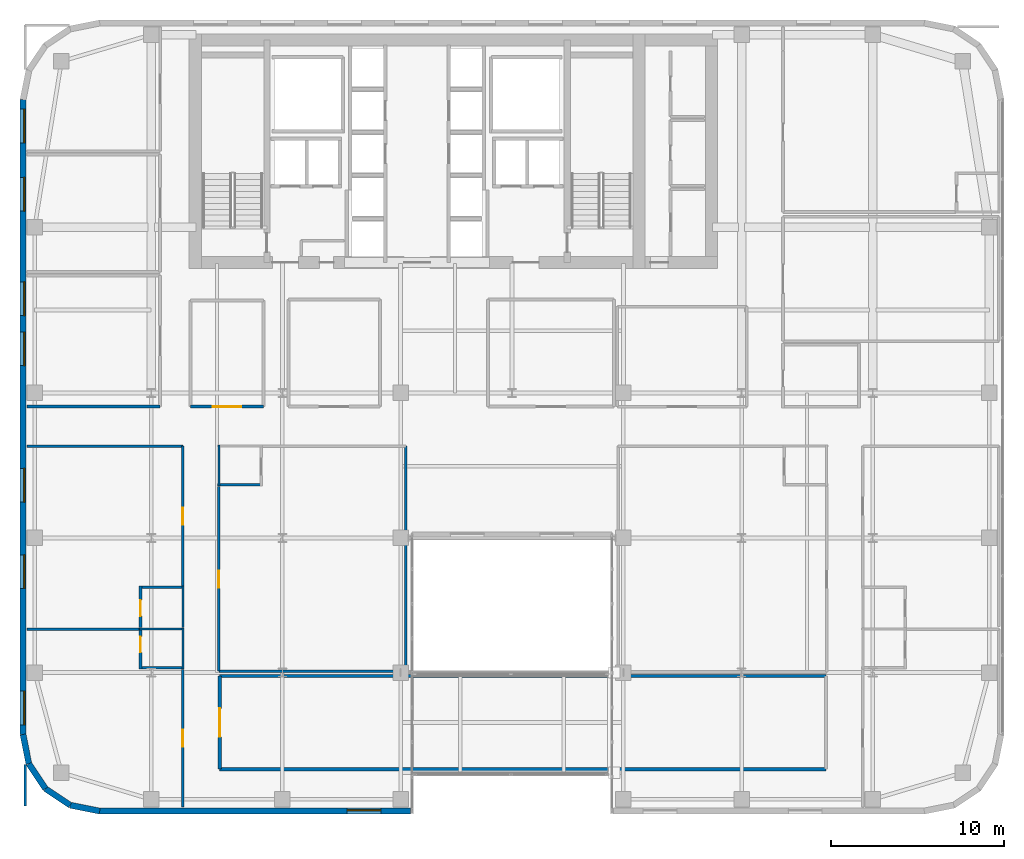
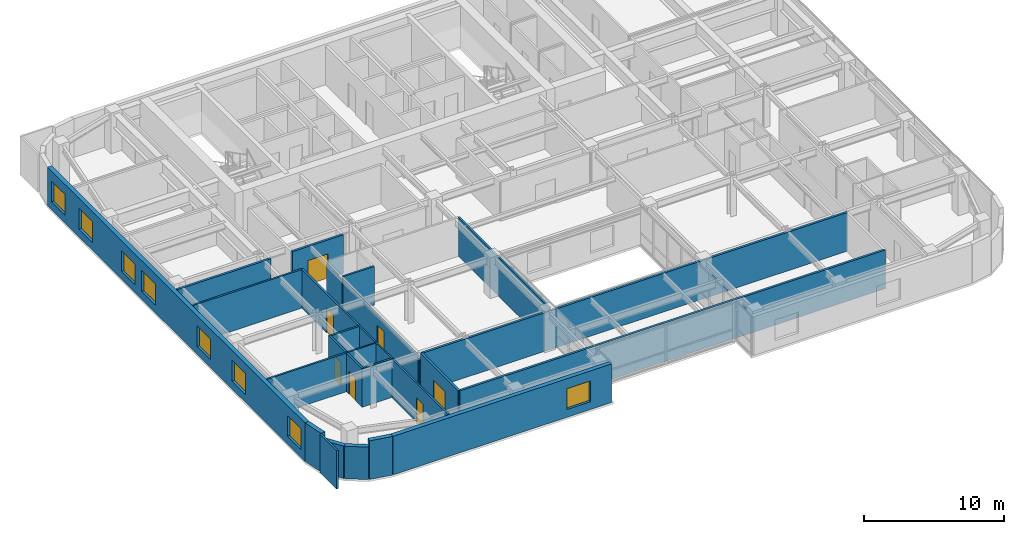
# One storey, part 18 of 25: 28 walls, 8 windows, 7 doors, 15 openings.
"""IFC4 building model written with IfcOpenShell, lengths in metres."""

from ifc_helpers import new_model, si_unit, direction, frame, frame_2d, origin, place, context, subcontext, project, spatial, rectangle, extrude, source, transform, mapped, material, layer, layer_set, type_object, type_shapes, element, fill, save


model = new_model("IFC4")

# Units and contexts
model_context = context("Model", 3, precision=1e-05, world=origin(), true_north=direction((0.0, 1.0)))
body_context = subcontext(model_context, "Body", "Model", "MODEL_VIEW")
ifc_project = project(units=[si_unit("LENGTHUNIT", "METRE"), si_unit("AREAUNIT", "SQUARE_METRE"), si_unit("VOLUMEUNIT", "CUBIC_METRE"), si_unit("PLANEANGLEUNIT", "RADIAN"), si_unit("MASSUNIT", "GRAM", prefix="KILO")], contexts=[model_context])

# Site, building, storey
site_placement = place(None, origin())
site = spatial("IfcSite", under=ifc_project, at=site_placement, CompositionType="ELEMENT")
building_placement = place(site_placement, origin())
building = spatial("IfcBuilding", under=site, at=building_placement, Name="Tolvann Quenvar Hotel", CompositionType="ELEMENT")
storey_placement = place(building_placement, frame((0.0, 0.0, 122.199951171875)))
storey = spatial("IfcBuildingStorey", under=building, at=storey_placement, Name="L31", CompositionType="ELEMENT", Elevation=122.199951171875)

# Walls
ifc_material_1 = material(Name="Kiln-fired red and buff architectural clay brickwork and terracotta masonry", Category="masonry")
ifc_layer_1 = layer(ifc_material_1, 0.35009765625)
ifc_layer_set_1 = layer_set([ifc_layer_1], Name="Kiln-fired red and buff architectural clay brickwork and terracotta masonry")
wall_type_1 = type_object("IfcWallType", Name="WALL_EXT_BRICK_350", PredefinedType="SOLIDWALL", material=ifc_layer_set_1)
for number, where, z_axis, x_axis, name in (
    (1, (0.514892578125, 2.907958984375, 0.0), (0.0, 0.0, 1.0), (0.55554893791, -0.831483840845, 0.0), "Exterior Chicago Brick Wall L31-E01"),
    (2, (1.473388671875, 1.473388671875, 0.0), (0.0, 0.0, 1.0), (0.831483840845, -0.55554893791, 0.0), "Exterior Chicago Brick Wall L31-E02"),
):
    element("IfcWall", number, at=place(storey_placement, frame(where, z_axis=z_axis, x_axis=x_axis)), inside=storey, type_object=wall_type_1, Name=name, PredefinedType="SOLIDWALL", context=body_context, shape_type="SweptSolid", body=[
        extrude(rectangle(XDim=1.725341796875, YDim=0.35009765625, at=frame_2d((0.86279296875, 0.0))), origin(), (0.0, 0.0, 1.0), 2.83203125),
    ])
wall_1_placement = place(storey_placement, frame((2.907958984375, 0.514892578125, 0.0), z_axis=(0.0, 0.0, 1.0), x_axis=(0.980800971659, -0.195011420161, 0.0)))
element("IfcWall", 3, at=wall_1_placement, inside=storey, type_object=wall_type_1, Name="Exterior Chicago Brick Wall L31-E03", PredefinedType="SOLIDWALL", context=body_context, shape_type="SweptSolid", body=[
    extrude(rectangle(XDim=1.74267578125, YDim=0.35009765625, at=frame_2d((0.871337890625, 0.0))), origin(), (0.0, 0.0, 1.0), 3.3701171875),
])

# Wall, opening, window
wall_2_placement = place(storey_placement, frame((4.6171875, 0.175048828125, 0.0), z_axis=(0.0, 0.0, 1.0), x_axis=(1.0, 0.0, 0.0)))
wall_2 = element("IfcWall", 4, at=wall_2_placement, inside=storey, type_object=wall_type_1, Name="Exterior Chicago Brick Wall L31-E04", PredefinedType="SOLIDWALL", context=body_context, shape_type="SweptSolid", body=[
    extrude(rectangle(XDim=18.0078125, YDim=0.35009765625, at=frame_2d((9.00390625, 0.0))), origin(), (0.0, 0.0, 1.0), 3.3701171875),
])
opening_1_placement = place(wall_2_placement, frame((14.33203125, 0.0, 0.679931640625)))
opening_1 = element("IfcOpeningElement", 5, at=opening_1_placement, cuts=wall_2, Name="Opening W-10", PredefinedType="OPENING", context=body_context, shape_type="SweptSolid", body=[
    extrude(rectangle(XDim=1.949951171875, YDim=1.820068359375, at=frame_2d((0.97509765625, 0.91015625))), frame((0.0, 0.18505859375, 0.0), z_axis=(0.0, -1.0, 0.0), x_axis=(1.0, 0.0, 0.0)), (0.0, 0.0, 1.0), 0.3701171875),
])
ifc_material_2 = material(Name="Thermally broken bronze-anodised aluminium frame with double low-E glazing", Category="aluminium")
window_type = type_object("IfcWindowType", Name="WIN_CLB_1950x1850", PartitioningType="DOUBLE_PANEL_VERTICAL", PredefinedType="WINDOW", material=ifc_material_2)
shared_shape_1 = source(origin(), body_context, "Body", "SweptSolid", [
    extrude(rectangle(XDim=1.949951171875, YDim=1.820068359375, at=frame_2d((0.97509765625, 0.91015625))), frame((0.0, 0.090087890625, 0.0), z_axis=(0.0, -1.0, 0.0), x_axis=(1.0, 0.0, 0.0)), (0.0, 0.0, 1.0), 0.06005859375),
])
type_shapes(window_type, [shared_shape_1])
window_1_placement = place(opening_1_placement, origin())
window_1 = element("IfcWindow", 6, at=window_1_placement, inside=storey, type_object=window_type, Name="Chicago Window W-10 (EW-L31-E04-W01)", OverallHeight=1.820068359375, OverallWidth=1.949951171875, PartitioningType="DOUBLE_PANEL_VERTICAL", PredefinedType="WINDOW", context=body_context, shape_type="MappedRepresentation", body=[
    mapped(shared_shape_1, transform((0.0, 0.0, 0.0), x_axis=(1.0, 0.0, 0.0), y_axis=(0.0, 1.0, 0.0), z_axis=(0.0, 0.0, 1.0), scale=1.0)),
])
fill(opening_1, window_1)

# Wall, openings, windows
wall_3_placement = place(storey_placement, frame((0.175048828125, 41.3828125, 0.0), z_axis=(0.0, 0.0, 1.0), x_axis=(0.0, -1.0, 0.0)))
wall_3 = element("IfcWall", 7, at=wall_3_placement, inside=storey, type_object=wall_type_1, Name="Exterior Chicago Brick Wall L31-E23", PredefinedType="SOLIDWALL", context=body_context, shape_type="SweptSolid", body=[
    extrude(rectangle(XDim=36.765625, YDim=0.35009765625, at=frame_2d((18.3828125, 0.0))), origin(), (0.0, 0.0, 1.0), 3.3701171875),
])
opening_2_placement = place(wall_3_placement, frame((0.551025390625, 0.0, 0.679931640625)))
opening_2 = element("IfcOpeningElement", 8, at=opening_2_placement, cuts=wall_3, Name="Opening W-10", PredefinedType="OPENING", context=body_context, shape_type="SweptSolid", body=[
    extrude(rectangle(XDim=1.949951171875, YDim=1.820068359375, at=frame_2d((0.97509765625, 0.91015625))), frame((0.0, 0.18505859375, 0.0), z_axis=(0.0, -1.0, 0.0), x_axis=(1.0, 0.0, 0.0)), (0.0, 0.0, 1.0), 0.3701171875),
])
opening_3_placement = place(wall_3_placement, frame((4.5029296875, 0.0, 0.679931640625)))
opening_3 = element("IfcOpeningElement", 9, at=opening_3_placement, cuts=wall_3, Name="Opening W-10", PredefinedType="OPENING", context=body_context, shape_type="SweptSolid", body=[
    extrude(rectangle(XDim=1.949951171875, YDim=1.820068359375, at=frame_2d((0.97509765625, 0.91015625))), frame((0.0, 0.18505859375, 0.0), z_axis=(0.0, -1.0, 0.0), x_axis=(1.0, 0.0, 0.0)), (0.0, 0.0, 1.0), 0.3701171875),
])
opening_4_placement = place(wall_3_placement, frame((10.553955078125, 0.0, 0.679931640625)))
opening_4 = element("IfcOpeningElement", 10, at=opening_4_placement, cuts=wall_3, Name="Opening W-10", PredefinedType="OPENING", context=body_context, shape_type="SweptSolid", body=[
    extrude(rectangle(XDim=1.949951171875, YDim=1.820068359375, at=frame_2d((0.97509765625, 0.91015625))), frame((0.0, 0.18505859375, 0.0), z_axis=(0.0, -1.0, 0.0), x_axis=(1.0, 0.0, 0.0)), (0.0, 0.0, 1.0), 0.3701171875),
])
opening_5_placement = place(wall_3_placement, frame((13.4560546875, 0.0, 0.679931640625)))
opening_5 = element("IfcOpeningElement", 11, at=opening_5_placement, cuts=wall_3, Name="Opening W-10", PredefinedType="OPENING", context=body_context, shape_type="SweptSolid", body=[
    extrude(rectangle(XDim=1.949951171875, YDim=1.820068359375, at=frame_2d((0.97509765625, 0.91015625))), frame((0.0, 0.18505859375, 0.0), z_axis=(0.0, -1.0, 0.0), x_axis=(1.0, 0.0, 0.0)), (0.0, 0.0, 1.0), 0.3701171875),
])
opening_6_placement = place(wall_3_placement, frame((21.360107421875, 0.0, 0.679931640625)))
opening_6 = element("IfcOpeningElement", 12, at=opening_6_placement, cuts=wall_3, Name="Opening W-10", PredefinedType="OPENING", context=body_context, shape_type="SweptSolid", body=[
    extrude(rectangle(XDim=1.949951171875, YDim=1.820068359375, at=frame_2d((0.97509765625, 0.91015625))), frame((0.0, 0.18505859375, 0.0), z_axis=(0.0, -1.0, 0.0), x_axis=(1.0, 0.0, 0.0)), (0.0, 0.0, 1.0), 0.3701171875),
])
opening_7_placement = place(wall_3_placement, frame((26.361083984375, 0.0, 0.679931640625)))
opening_7 = element("IfcOpeningElement", 13, at=opening_7_placement, cuts=wall_3, Name="Opening W-10", PredefinedType="OPENING", context=body_context, shape_type="SweptSolid", body=[
    extrude(rectangle(XDim=1.949951171875, YDim=1.820068359375, at=frame_2d((0.97509765625, 0.91015625))), frame((0.0, 0.18505859375, 0.0), z_axis=(0.0, -1.0, 0.0), x_axis=(1.0, 0.0, 0.0)), (0.0, 0.0, 1.0), 0.3701171875),
])
opening_8_placement = place(wall_3_placement, frame((34.264892578125, 0.0, 0.679931640625)))
opening_8 = element("IfcOpeningElement", 14, at=opening_8_placement, cuts=wall_3, Name="Opening W-10", PredefinedType="OPENING", context=body_context, shape_type="SweptSolid", body=[
    extrude(rectangle(XDim=1.949951171875, YDim=1.820068359375, at=frame_2d((0.97509765625, 0.91015625))), frame((0.0, 0.18505859375, 0.0), z_axis=(0.0, -1.0, 0.0), x_axis=(1.0, 0.0, 0.0)), (0.0, 0.0, 1.0), 0.3701171875),
])
window_2_placement = place(opening_2_placement, origin())
window_2 = element("IfcWindow", 15, at=window_2_placement, inside=storey, type_object=window_type, Name="Chicago Window W-10 (EW-L31-E23-W01)", OverallHeight=1.820068359375, OverallWidth=1.949951171875, PartitioningType="DOUBLE_PANEL_VERTICAL", PredefinedType="WINDOW", context=body_context, shape_type="MappedRepresentation", body=[
    mapped(shared_shape_1, transform((0.0, 0.0, 0.0), x_axis=(1.0, 0.0, 0.0), y_axis=(0.0, 1.0, 0.0), z_axis=(0.0, 0.0, 1.0), scale=1.0)),
])
fill(opening_2, window_2)
window_3_placement = place(opening_3_placement, origin())
window_3 = element("IfcWindow", 16, at=window_3_placement, inside=storey, type_object=window_type, Name="Chicago Window W-10 (EW-L31-E23-W02)", OverallHeight=1.820068359375, OverallWidth=1.949951171875, PartitioningType="DOUBLE_PANEL_VERTICAL", PredefinedType="WINDOW", context=body_context, shape_type="MappedRepresentation", body=[
    mapped(shared_shape_1, transform((0.0, 0.0, 0.0), x_axis=(1.0, 0.0, 0.0), y_axis=(0.0, 1.0, 0.0), z_axis=(0.0, 0.0, 1.0), scale=1.0)),
])
fill(opening_3, window_3)
window_4_placement = place(opening_4_placement, origin())
window_4 = element("IfcWindow", 17, at=window_4_placement, inside=storey, type_object=window_type, Name="Chicago Window W-10 (EW-L31-E23-W03)", OverallHeight=1.820068359375, OverallWidth=1.949951171875, PartitioningType="DOUBLE_PANEL_VERTICAL", PredefinedType="WINDOW", context=body_context, shape_type="MappedRepresentation", body=[
    mapped(shared_shape_1, transform((0.0, 0.0, 0.0), x_axis=(1.0, 0.0, 0.0), y_axis=(0.0, 1.0, 0.0), z_axis=(0.0, 0.0, 1.0), scale=1.0)),
])
fill(opening_4, window_4)
window_5_placement = place(opening_5_placement, origin())
window_5 = element("IfcWindow", 18, at=window_5_placement, inside=storey, type_object=window_type, Name="Chicago Window W-10 (EW-L31-E23-W04)", OverallHeight=1.820068359375, OverallWidth=1.949951171875, PartitioningType="DOUBLE_PANEL_VERTICAL", PredefinedType="WINDOW", context=body_context, shape_type="MappedRepresentation", body=[
    mapped(shared_shape_1, transform((0.0, 0.0, 0.0), x_axis=(1.0, 0.0, 0.0), y_axis=(0.0, 1.0, 0.0), z_axis=(0.0, 0.0, 1.0), scale=1.0)),
])
fill(opening_5, window_5)
window_6_placement = place(opening_6_placement, origin())
window_6 = element("IfcWindow", 19, at=window_6_placement, inside=storey, type_object=window_type, Name="Chicago Window W-10 (EW-L31-E23-W05)", OverallHeight=1.820068359375, OverallWidth=1.949951171875, PartitioningType="DOUBLE_PANEL_VERTICAL", PredefinedType="WINDOW", context=body_context, shape_type="MappedRepresentation", body=[
    mapped(shared_shape_1, transform((0.0, 0.0, 0.0), x_axis=(1.0, 0.0, 0.0), y_axis=(0.0, 1.0, 0.0), z_axis=(0.0, 0.0, 1.0), scale=1.0)),
])
fill(opening_6, window_6)
window_7_placement = place(opening_7_placement, origin())
window_7 = element("IfcWindow", 20, at=window_7_placement, inside=storey, type_object=window_type, Name="Chicago Window W-10 (EW-L31-E23-W06)", OverallHeight=1.820068359375, OverallWidth=1.949951171875, PartitioningType="DOUBLE_PANEL_VERTICAL", PredefinedType="WINDOW", context=body_context, shape_type="MappedRepresentation", body=[
    mapped(shared_shape_1, transform((0.0, 0.0, 0.0), x_axis=(1.0, 0.0, 0.0), y_axis=(0.0, 1.0, 0.0), z_axis=(0.0, 0.0, 1.0), scale=1.0)),
])
fill(opening_7, window_7)
window_8_placement = place(opening_8_placement, origin())
window_8 = element("IfcWindow", 21, at=window_8_placement, inside=storey, type_object=window_type, Name="Chicago Window W-10 (EW-L31-E23-W07)", OverallHeight=1.820068359375, OverallWidth=1.949951171875, PartitioningType="DOUBLE_PANEL_VERTICAL", PredefinedType="WINDOW", context=body_context, shape_type="MappedRepresentation", body=[
    mapped(shared_shape_1, transform((0.0, 0.0, 0.0), x_axis=(1.0, 0.0, 0.0), y_axis=(0.0, 1.0, 0.0), z_axis=(0.0, 0.0, 1.0), scale=1.0)),
])
fill(opening_8, window_8)

# Walls
wall_4_placement = place(storey_placement, frame((0.175048828125, 4.6171875, 0.0), z_axis=(0.0, 0.0, 1.0), x_axis=(0.195011420161, -0.980800971659, 0.0)))
element("IfcWall", 22, at=wall_4_placement, inside=storey, type_object=wall_type_1, Name="Exterior Chicago Brick Wall L31-E24", PredefinedType="SOLIDWALL", context=body_context, shape_type="SweptSolid", body=[
    extrude(rectangle(XDim=1.74267578125, YDim=0.35009765625, at=frame_2d((0.871337890625, 0.0))), origin(), (0.0, 0.0, 1.0), 3.3701171875),
])
ifc_material_3 = material(Name="Acoustic twin-stud fire-rated gypsum plasterboard partition")
ifc_layer_2 = layer(ifc_material_3, 0.179931640625)
ifc_layer_set_2 = layer_set([ifc_layer_2], Name="Acoustic twin-stud fire-rated gypsum plasterboard partition")
wall_type_2 = type_object("IfcWallType", Name="WALL_PART_ACOUSTIC_180", PredefinedType="PARTITIONING", material=ifc_layer_set_2)
wall_5_placement = place(storey_placement, frame((0.405029296875, 23.60009765625, 0.0), z_axis=(0.0, 0.0, 1.0), x_axis=(1.0, 0.0, 0.0)))
element("IfcWall", 23, at=wall_5_placement, inside=storey, type_object=wall_type_2, Name="Interior Partition PT-SPC-L31-SAL-S", PredefinedType="PARTITIONING", context=body_context, shape_type="SweptSolid", body=[
    extrude(rectangle(XDim=7.715087890625, YDim=0.179931640625, at=frame_2d((3.857421875, 0.0))), origin(), (0.0, 0.0, 1.0), 3.3701171875),
])

# Wall, opening, door
wall_6_placement = place(storey_placement, frame((9.8798828125, 23.60009765625, 0.0), z_axis=(0.0, 0.0, 1.0), x_axis=(1.0, 0.0, 0.0)))
wall_6 = element("IfcWall", 24, at=wall_6_placement, inside=storey, type_object=wall_type_2, Name="Interior Partition PT-SPC-L31-MSP-W-S", PredefinedType="PARTITIONING", context=body_context, shape_type="SweptSolid", body=[
    extrude(rectangle(XDim=4.22021484375, YDim=0.179931640625, at=frame_2d((2.110107421875, 0.0))), origin(), (0.0, 0.0, 1.0), 3.3701171875),
])
opening_9_placement = place(wall_6_placement, frame((1.284912109375, 0.0, 0.0)))
opening_9 = element("IfcOpeningElement", 25, at=opening_9_placement, cuts=wall_6, Name="Opening AD-01", PredefinedType="OPENING", context=body_context, shape_type="SweptSolid", body=[
    extrude(rectangle(XDim=1.64990234375, YDim=2.14990234375, at=frame_2d((0.824951171875, 1.074951171875))), frame((0.0, 0.10009765625, 0.0), z_axis=(0.0, -1.0, 0.0), x_axis=(1.0, 0.0, 0.0)), (0.0, 0.0, 1.0), 0.199951171875),
])
ifc_material_4 = material(Name="Solid-core American oak acoustic fire door leaf in steel frame", Category="steel")
door_type_1 = type_object("IfcDoorType", Name="DOOR_SALON_1650", OperationType="NOTDEFINED", PredefinedType="DOOR", material=ifc_material_4)
shared_shape_2 = source(origin(), body_context, "Body", "SweptSolid", [
    extrude(rectangle(XDim=1.64990234375, YDim=2.14990234375, at=frame_2d((0.824951171875, 1.074951171875))), frame((0.0, 0.02490234375, 0.0), z_axis=(0.0, -1.0, 0.0), x_axis=(1.0, 0.0, 0.0)), (0.0, 0.0, 1.0), 0.050048828125),
])
type_shapes(door_type_1, [shared_shape_2])
door_1_placement = place(opening_9_placement, origin())
door_1 = element("IfcDoor", 26, at=door_1_placement, inside=storey, type_object=door_type_1, Name="Interior Door DOOR-SPC-L31-MSP-W", OperationType="DOUBLE_DOOR_SINGLE_SWING", OverallHeight=2.14990234375, OverallWidth=1.64990234375, PredefinedType="DOOR", context=body_context, shape_type="MappedRepresentation", body=[
    mapped(shared_shape_2, transform((0.0, 0.0, 0.0), x_axis=(1.0, 0.0, 0.0), y_axis=(0.0, 1.0, 0.0), z_axis=(0.0, 0.0, 1.0), scale=1.0)),
])
fill(opening_9, door_1)

# Walls
for number, where, z_axis, x_axis, name in (
    (27, (11.570068359375, 2.60009765625, 0.0), (0.0, 0.0, 1.0), (1.0, 0.0, 0.0), "Interior Partition PT-SPC-L31-BRG-S"),
    (28, (11.570068359375, 8.0, 0.0), (0.0, 0.0, 1.0), (1.0, 0.0, 0.0), "Interior Partition PT-SPC-L31-BRG-N"),
):
    element("IfcWall", number, at=place(storey_placement, frame(where, z_axis=z_axis, x_axis=x_axis)), inside=storey, type_object=wall_type_2, Name=name, PredefinedType="PARTITIONING", context=body_context, shape_type="SweptSolid", body=[
        extrude(rectangle(XDim=35.10986328125, YDim=0.179931640625, at=frame_2d((17.554931640625, 0.0))), origin(), (0.0, 0.0, 1.0), 3.3701171875),
    ])

# Wall, opening, door
wall_7_placement = place(storey_placement, frame((11.570068359375, 2.60009765625, 0.0), z_axis=(0.0, 0.0, 1.0), x_axis=(0.0, 1.0, 0.0)))
wall_7 = element("IfcWall", 29, at=wall_7_placement, inside=storey, type_object=wall_type_2, Name="Interior Partition PT-SPC-L31-BRG-W", PredefinedType="PARTITIONING", context=body_context, shape_type="SweptSolid", body=[
    extrude(rectangle(XDim=5.39990234375, YDim=0.179931640625, at=frame_2d((2.699951171875, 0.0))), origin(), (0.0, 0.0, 1.0), 3.3701171875),
])
opening_10_placement = place(wall_7_placement, frame((1.875, 0.0, 0.0)))
opening_10 = element("IfcOpeningElement", 30, at=opening_10_placement, cuts=wall_7, Name="Opening AD-01", PredefinedType="OPENING", context=body_context, shape_type="SweptSolid", body=[
    extrude(rectangle(XDim=1.64990234375, YDim=2.14990234375, at=frame_2d((0.824951171875, 1.074951171875))), frame((0.0, 0.10009765625, 0.0), z_axis=(0.0, -1.0, 0.0), x_axis=(1.0, 0.0, 0.0)), (0.0, 0.0, 1.0), 0.199951171875),
])
door_2_placement = place(opening_10_placement, origin())
door_2 = element("IfcDoor", 31, at=door_2_placement, inside=storey, type_object=door_type_1, Name="Interior Door DOOR-SPC-L31-BRG", OperationType="DOUBLE_DOOR_SINGLE_SWING", OverallHeight=2.14990234375, OverallWidth=1.64990234375, PredefinedType="DOOR", context=body_context, shape_type="MappedRepresentation", body=[
    mapped(shared_shape_2, transform((0.0, 0.0, 0.0), x_axis=(1.0, 0.0, 0.0), y_axis=(0.0, 1.0, 0.0), z_axis=(0.0, 0.0, 1.0), scale=1.0)),
])
fill(opening_10, door_2)

# Walls
ifc_material_5 = material(Name="Moisture-resistant acoustic plumbing wall assembly")
ifc_layer_3 = layer(ifc_material_5, 0.1201171875)
ifc_layer_set_3 = layer_set([ifc_layer_3], Name="Moisture-resistant acoustic plumbing wall assembly")
wall_type_3 = type_object("IfcWallType", Name="WALL_PART_BATH_120", PredefinedType="PLUMBINGWALL", material=ifc_layer_set_3)
wall_8_placement = place(storey_placement, frame((6.909912109375, 10.719970703125, 0.0), z_axis=(0.0, 0.0, 1.0), x_axis=(1.0, 0.0, 0.0)))
element("IfcWall", 32, at=wall_8_placement, inside=storey, type_object=wall_type_3, Name="Non-Rated Plumbing Partition PT-SPC-L31-ENS-WO01-N", PredefinedType="PLUMBINGWALL", context=body_context, shape_type="SweptSolid", body=[
    extrude(rectangle(XDim=2.590087890625, YDim=0.1201171875, at=frame_2d((1.294921875, 0.0))), origin(), (0.0, 0.0, 1.0), 3.3701171875),
])
wall_9_placement = place(storey_placement, frame((9.429931640625, 8.39990234375, 0.0), z_axis=(0.0, 0.0, 1.0), x_axis=(0.0, 1.0, 0.0)))
element("IfcWall", 33, at=wall_9_placement, inside=storey, type_object=wall_type_3, Name="Non-Rated Plumbing Partition PT-SPC-L31-ENS-WO01-E", PredefinedType="PLUMBINGWALL", context=body_context, shape_type="SweptSolid", body=[
    extrude(rectangle(XDim=2.39013671875, YDim=0.1201171875, at=frame_2d((1.195068359375, 0.0))), origin(), (0.0, 0.0, 1.0), 3.3701171875),
])
wall_10_placement = place(storey_placement, frame((9.429931640625, 10.81005859375, 0.0), z_axis=(0.0, 0.0, 1.0), x_axis=(0.0, 1.0, 0.0)))
element("IfcWall", 34, at=wall_10_placement, inside=storey, type_object=wall_type_3, Name="Non-Rated Plumbing Partition PT-SPC-L31-ENS-WO02-E", PredefinedType="PLUMBINGWALL", context=body_context, shape_type="SweptSolid", body=[
    extrude(rectangle(XDim=2.389892578125, YDim=0.1201171875, at=frame_2d((1.19482421875, 0.0))), origin(), (0.0, 0.0, 1.0), 3.3701171875),
])
wall_11_placement = place(storey_placement, frame((11.52001953125, 19.0, 0.0), z_axis=(0.0, 0.0, 1.0), x_axis=(0.0, 1.0, 0.0)))
element("IfcWall", 35, at=wall_11_placement, inside=storey, type_object=wall_type_3, Name="Non-Rated Plumbing Partition PT-SPC-L31-ENS-WI01-W", PredefinedType="PLUMBINGWALL", context=body_context, shape_type="SweptSolid", body=[
    extrude(rectangle(XDim=2.389892578125, YDim=0.1201171875, at=frame_2d((1.19482421875, 0.0))), origin(), (0.0, 0.0, 1.0), 2.9541015625),
])

# Wall, opening, door
ifc_layer_4 = layer(ifc_material_3, 0.14990234375)
ifc_layer_set_4 = layer_set([ifc_layer_4], Name="Acoustic twin-stud fire-rated gypsum plasterboard partition")
wall_type_4 = type_object("IfcWallType", Name="WALL_PART_SUITE_150", PredefinedType="PARTITIONING", material=ifc_layer_set_4)
wall_12_placement = place(storey_placement, frame((6.97998046875, 8.39990234375, 0.0), z_axis=(0.0, 0.0, 1.0), x_axis=(0.0, 1.0, 0.0)))
wall_12 = element("IfcWall", 36, at=wall_12_placement, inside=storey, type_object=wall_type_4, Name="Interior Partition PT-SPC-L31-ENS-WO01-ENT", PredefinedType="PARTITIONING", context=body_context, shape_type="SweptSolid", body=[
    extrude(rectangle(XDim=2.39013671875, YDim=0.14990234375, at=frame_2d((1.195068359375, 0.0))), origin(), (0.0, 0.0, 1.0), 3.3701171875),
])
opening_11_placement = place(wall_12_placement, frame((0.965087890625, 0.0, 0.0)))
opening_11 = element("IfcOpeningElement", 37, at=opening_11_placement, cuts=wall_12, Name="Opening WD-01", PredefinedType="OPENING", context=body_context, shape_type="SweptSolid", body=[
    extrude(rectangle(XDim=0.919921875, YDim=2.010009765625, at=frame_2d((0.4599609375, 1.0048828125))), frame((0.0, 0.0849609375, 0.0), z_axis=(0.0, -1.0, 0.0), x_axis=(1.0, 0.0, 0.0)), (0.0, 0.0, 1.0), 0.169921875),
])
door_type_2 = type_object("IfcDoorType", Name="DOOR_WC_920", OperationType="NOTDEFINED", PredefinedType="DOOR", material=ifc_material_4)
shared_shape_3 = source(origin(), body_context, "Body", "SweptSolid", [
    extrude(rectangle(XDim=0.919921875, YDim=2.010009765625, at=frame_2d((0.4599609375, 1.0048828125))), frame((0.0, 0.02490234375, 0.0), z_axis=(0.0, -1.0, 0.0), x_axis=(1.0, 0.0, 0.0)), (0.0, 0.0, 1.0), 0.050048828125),
])
type_shapes(door_type_2, [shared_shape_3])
door_3_placement = place(opening_11_placement, origin())
door_3 = element("IfcDoor", 38, at=door_3_placement, inside=storey, type_object=door_type_2, Name="Interior Door DOOR-SPC-L31-ENS-WO01", OperationType="SINGLE_SWING_LEFT", OverallHeight=2.010009765625, OverallWidth=0.919921875, PredefinedType="DOOR", context=body_context, shape_type="MappedRepresentation", body=[
    mapped(shared_shape_3, transform((0.0, 0.0, 0.0), x_axis=(1.0, 0.0, 0.0), y_axis=(0.0, 1.0, 0.0), z_axis=(0.0, 0.0, 1.0), scale=1.0)),
])
fill(opening_11, door_3)

# Wall
wall_13_placement = place(storey_placement, frame((6.909912109375, 8.469970703125, 0.0), z_axis=(0.0, 0.0, 1.0), x_axis=(1.0, 0.0, 0.0)))
element("IfcWall", 39, at=wall_13_placement, inside=storey, type_object=wall_type_4, Name="Interior Partition PT-SPC-L31-ENS-WO01-S", PredefinedType="PARTITIONING", context=body_context, shape_type="SweptSolid", body=[
    extrude(rectangle(XDim=2.590087890625, YDim=0.14990234375, at=frame_2d((1.294921875, 0.0))), origin(), (0.0, 0.0, 1.0), 3.3701171875),
])

# Wall, opening, door
wall_14_placement = place(storey_placement, frame((6.97998046875, 10.81005859375, 0.0), z_axis=(0.0, 0.0, 1.0), x_axis=(0.0, 1.0, 0.0)))
wall_14 = element("IfcWall", 40, at=wall_14_placement, inside=storey, type_object=wall_type_4, Name="Interior Partition PT-SPC-L31-ENS-WO02-ENT", PredefinedType="PARTITIONING", context=body_context, shape_type="SweptSolid", body=[
    extrude(rectangle(XDim=2.389892578125, YDim=0.14990234375, at=frame_2d((1.19482421875, 0.0))), origin(), (0.0, 0.0, 1.0), 3.3701171875),
])
opening_12_placement = place(wall_14_placement, frame((0.6650390625, 0.0, 0.0)))
opening_12 = element("IfcOpeningElement", 41, at=opening_12_placement, cuts=wall_14, Name="Opening WD-01", PredefinedType="OPENING", context=body_context, shape_type="SweptSolid", body=[
    extrude(rectangle(XDim=0.919921875, YDim=2.010009765625, at=frame_2d((0.4599609375, 1.0048828125))), frame((0.0, 0.0849609375, 0.0), z_axis=(0.0, -1.0, 0.0), x_axis=(1.0, 0.0, 0.0)), (0.0, 0.0, 1.0), 0.169921875),
])
door_4_placement = place(opening_12_placement, origin())
door_4 = element("IfcDoor", 42, at=door_4_placement, inside=storey, type_object=door_type_2, Name="Interior Door DOOR-SPC-L31-ENS-WO02", OperationType="SINGLE_SWING_RIGHT", OverallHeight=2.010009765625, OverallWidth=0.919921875, PredefinedType="DOOR", context=body_context, shape_type="MappedRepresentation", body=[
    mapped(shared_shape_3, transform((0.0, 0.0, 0.0), x_axis=(1.0, 0.0, 0.0), y_axis=(0.0, 1.0, 0.0), z_axis=(0.0, 0.0, 1.0), scale=1.0)),
])
fill(opening_12, door_4)

# Walls
for number, where, z_axis, x_axis, name in (
    (43, (6.909912109375, 13.1298828125, 0.0), (0.0, 0.0, 1.0), (1.0, 0.0, 0.0), "Interior Partition PT-SPC-L31-ENS-WO02-N"),
    (44, (11.449951171875, 19.070068359375, 0.0), (0.0, 0.0, 1.0), (1.0, 0.0, 0.0), "Interior Partition PT-SPC-L31-ENS-WI01-S"),
):
    element("IfcWall", number, at=place(storey_placement, frame(where, z_axis=z_axis, x_axis=x_axis)), inside=storey, type_object=wall_type_4, Name=name, PredefinedType="PARTITIONING", context=body_context, shape_type="SweptSolid", body=[
        extrude(rectangle(XDim=2.590087890625, YDim=0.14990234375, at=frame_2d((1.294921875, 0.0))), origin(), (0.0, 0.0, 1.0), 3.3701171875),
    ])

# Wall, opening, door
wall_15_placement = place(storey_placement, frame((9.429931640625, 0.405029296875, 0.0), z_axis=(0.0, 0.0, 1.0), x_axis=(0.0, 1.0, 0.0)))
wall_15 = element("IfcWall", 45, at=wall_15_placement, inside=storey, type_object=wall_type_4, Name="Interior Partition PT-SPC-L31-RM-WO01-ENT", PredefinedType="PARTITIONING", context=body_context, shape_type="SweptSolid", body=[
    extrude(rectangle(XDim=7.98486328125, YDim=0.14990234375, at=frame_2d((3.992431640625, 0.0))), origin(), (0.0, 0.0, 1.0), 3.3701171875),
])
opening_13_placement = place(wall_15_placement, frame((3.510009765625, 0.0, 0.0)))
opening_13 = element("IfcOpeningElement", 46, at=opening_13_placement, cuts=wall_15, Name="Opening SD-01", PredefinedType="OPENING", context=body_context, shape_type="SweptSolid", body=[
    extrude(rectangle(XDim=0.97998046875, YDim=2.1201171875, at=frame_2d((0.489990234375, 1.06005859375))), frame((0.0, 0.0849609375, 0.0), z_axis=(0.0, -1.0, 0.0), x_axis=(1.0, 0.0, 0.0)), (0.0, 0.0, 1.0), 0.169921875),
])
door_type_3 = type_object("IfcDoorType", Name="DOOR_SUITE_980", OperationType="NOTDEFINED", PredefinedType="DOOR", material=ifc_material_4)
shared_shape_4 = source(origin(), body_context, "Body", "SweptSolid", [
    extrude(rectangle(XDim=0.97998046875, YDim=2.1201171875, at=frame_2d((0.489990234375, 1.06005859375))), frame((0.0, 0.02490234375, 0.0), z_axis=(0.0, -1.0, 0.0), x_axis=(1.0, 0.0, 0.0)), (0.0, 0.0, 1.0), 0.050048828125),
])
type_shapes(door_type_3, [shared_shape_4])
door_5_placement = place(opening_13_placement, origin())
door_5 = element("IfcDoor", 47, at=door_5_placement, inside=storey, type_object=door_type_3, Name="Interior Door DOOR-SPC-L31-RM-WO01", OperationType="SINGLE_SWING_LEFT", OverallHeight=2.1201171875, OverallWidth=0.97998046875, PredefinedType="DOOR", context=body_context, shape_type="MappedRepresentation", body=[
    mapped(shared_shape_4, transform((0.0, 0.0, 0.0), x_axis=(1.0, 0.0, 0.0), y_axis=(0.0, 1.0, 0.0), z_axis=(0.0, 0.0, 1.0), scale=1.0)),
])
fill(opening_13, door_5)

# Walls
wall_16_placement = place(storey_placement, frame((0.405029296875, 10.719970703125, 0.0), z_axis=(0.0, 0.0, 1.0), x_axis=(1.0, 0.0, 0.0)))
element("IfcWall", 48, at=wall_16_placement, inside=storey, type_object=wall_type_4, Name="Interior Partition PT-SPC-L31-RM-WO01-E5", PredefinedType="PARTITIONING", context=body_context, shape_type="SweptSolid", body=[
    extrude(rectangle(XDim=6.554931640625, YDim=0.14990234375, at=frame_2d((3.27734375, 0.0))), origin(), (0.0, 0.0, 1.0), 3.3701171875),
])
wall_17_placement = place(storey_placement, frame((0.300048828125, 0.47998046875, 0.0), z_axis=(0.0, 0.0, 1.0), x_axis=(0.0, 1.0, 0.0)))
element("IfcWall", 49, at=wall_17_placement, inside=storey, type_object=wall_type_4, Name="Interior Partition PT-SPC-L31-RM-WO01-E6", PredefinedType="PARTITIONING", context=body_context, shape_type="SweptSolid", body=[
    extrude(rectangle(XDim=2.385009765625, YDim=0.14990234375, at=frame_2d((1.1923828125, 0.0))), origin(), (0.0, 0.0, 1.0), 3.3701171875),
])

# Wall, opening, door
wall_18_placement = place(storey_placement, frame((9.429931640625, 13.2099609375, 0.0), z_axis=(0.0, 0.0, 1.0), x_axis=(0.0, 1.0, 0.0)))
wall_18 = element("IfcWall", 50, at=wall_18_placement, inside=storey, type_object=wall_type_4, Name="Interior Partition PT-SPC-L31-RM-WO02-ENT", PredefinedType="PARTITIONING", context=body_context, shape_type="SweptSolid", body=[
    extrude(rectangle(XDim=8.110107421875, YDim=0.14990234375, at=frame_2d((4.05517578125, 0.0))), origin(), (0.0, 0.0, 1.0), 3.3701171875),
])
opening_14_placement = place(wall_18_placement, frame((3.544921875, 0.0, 0.0)))
opening_14 = element("IfcOpeningElement", 51, at=opening_14_placement, cuts=wall_18, Name="Opening SD-01", PredefinedType="OPENING", context=body_context, shape_type="SweptSolid", body=[
    extrude(rectangle(XDim=0.97998046875, YDim=2.1201171875, at=frame_2d((0.489990234375, 1.06005859375))), frame((0.0, 0.0849609375, 0.0), z_axis=(0.0, -1.0, 0.0), x_axis=(1.0, 0.0, 0.0)), (0.0, 0.0, 1.0), 0.169921875),
])
door_6_placement = place(opening_14_placement, origin())
door_6 = element("IfcDoor", 52, at=door_6_placement, inside=storey, type_object=door_type_3, Name="Interior Door DOOR-SPC-L31-RM-WO02", OperationType="SINGLE_SWING_RIGHT", OverallHeight=2.1201171875, OverallWidth=0.97998046875, PredefinedType="DOOR", context=body_context, shape_type="MappedRepresentation", body=[
    mapped(shared_shape_4, transform((0.0, 0.0, 0.0), x_axis=(1.0, 0.0, 0.0), y_axis=(0.0, 1.0, 0.0), z_axis=(0.0, 0.0, 1.0), scale=1.0)),
])
fill(opening_14, door_6)

# Wall
wall_19_placement = place(storey_placement, frame((0.405029296875, 21.320068359375, 0.0), z_axis=(0.0, 0.0, 1.0), x_axis=(1.0, 0.0, 0.0)))
element("IfcWall", 53, at=wall_19_placement, inside=storey, type_object=wall_type_4, Name="Interior Partition PT-SPC-L31-RM-WO02-E5", PredefinedType="PARTITIONING", context=body_context, shape_type="SweptSolid", body=[
    extrude(rectangle(XDim=9.02490234375, YDim=0.14990234375, at=frame_2d((4.512451171875, 0.0))), origin(), (0.0, 0.0, 1.0), 3.3701171875),
])

# Wall, opening, door
wall_20_placement = place(storey_placement, frame((11.52001953125, 8.280029296875, 0.0), z_axis=(0.0, 0.0, 1.0), x_axis=(0.0, 1.0, 0.0)))
wall_20 = element("IfcWall", 54, at=wall_20_placement, inside=storey, type_object=wall_type_4, Name="Interior Partition PT-SPC-L31-RM-WI01-ENT", PredefinedType="PARTITIONING", context=body_context, shape_type="SweptSolid", body=[
    extrude(rectangle(XDim=10.7099609375, YDim=0.14990234375, at=frame_2d((5.35498046875, 0.0))), origin(), (0.0, 0.0, 1.0), 2.9541015625),
])
opening_15_placement = place(wall_20_placement, frame((4.844970703125, 0.0, 0.0)))
opening_15 = element("IfcOpeningElement", 55, at=opening_15_placement, cuts=wall_20, Name="Opening SD-01", PredefinedType="OPENING", context=body_context, shape_type="SweptSolid", body=[
    extrude(rectangle(XDim=0.97998046875, YDim=2.1201171875, at=frame_2d((0.489990234375, 1.06005859375))), frame((0.0, 0.0849609375, 0.0), z_axis=(0.0, -1.0, 0.0), x_axis=(1.0, 0.0, 0.0)), (0.0, 0.0, 1.0), 0.169921875),
])
door_7_placement = place(opening_15_placement, origin())
door_7 = element("IfcDoor", 56, at=door_7_placement, inside=storey, type_object=door_type_3, Name="Interior Door DOOR-SPC-L31-RM-WI01", OperationType="SINGLE_SWING_LEFT", OverallHeight=2.1201171875, OverallWidth=0.97998046875, PredefinedType="DOOR", context=body_context, shape_type="MappedRepresentation", body=[
    mapped(shared_shape_4, transform((0.0, 0.0, 0.0), x_axis=(1.0, 0.0, 0.0), y_axis=(0.0, 1.0, 0.0), z_axis=(0.0, 0.0, 1.0), scale=1.0)),
])
fill(opening_15, door_7)

# Walls
wall_21_placement = place(storey_placement, frame((11.52001953125, 8.280029296875, 0.0), z_axis=(0.0, 0.0, 1.0), x_axis=(1.0, 0.0, 0.0)))
element("IfcWall", 57, at=wall_21_placement, inside=storey, type_object=wall_type_4, Name="Interior Partition PT-SPC-L31-RM-WI01-E1", PredefinedType="PARTITIONING", context=body_context, shape_type="SweptSolid", body=[
    extrude(rectangle(XDim=10.830078125, YDim=0.14990234375, at=frame_2d((5.4150390625, 0.0))), origin(), (0.0, 0.0, 1.0), 2.748046875),
])
wall_22_placement = place(storey_placement, frame((22.35009765625, 8.280029296875, 0.0), z_axis=(0.0, 0.0, 1.0), x_axis=(0.0, 1.0, 0.0)))
element("IfcWall", 58, at=wall_22_placement, inside=storey, type_object=wall_type_4, Name="Interior Partition PT-SPC-L31-RM-WI01-E2", PredefinedType="PARTITIONING", context=body_context, shape_type="SweptSolid", body=[
    extrude(rectangle(XDim=13.0400390625, YDim=0.14990234375, at=frame_2d((6.52001953125, 0.0))), origin(), (0.0, 0.0, 1.0), 3.3701171875),
])

save(model, "model.ifc")
